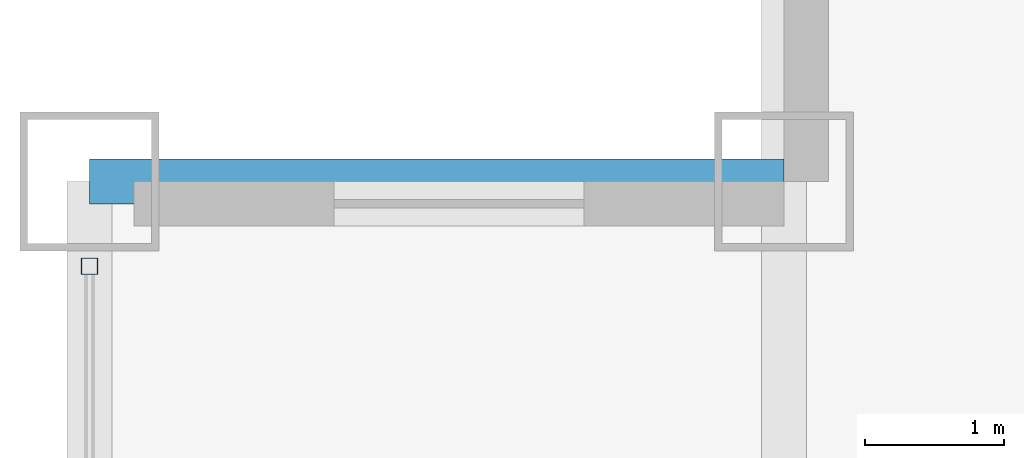
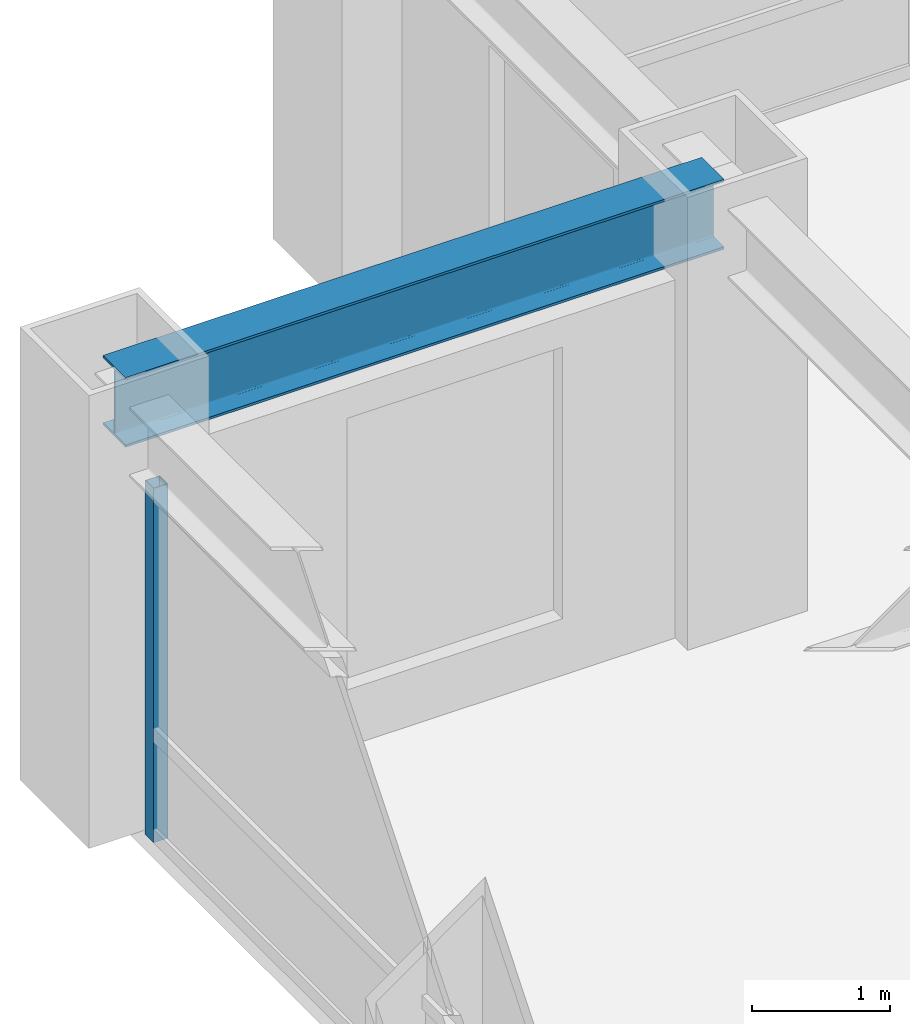
# One storey, part 12 of 25: 1 beam, 1 member, 1 element without a shape of its own.
"""IFC4 building model written with IfcOpenShell, lengths in metres."""

from ifc_helpers import new_model, si_unit, direction, frame, origin, origin_2d, place, context, subcontext, project, spatial, hollow_rectangle, i_section, extrude, source, transform, mapped, material, material_profile, profile_set, type_object, element, aggregate, save


model = new_model("IFC4")

# Units and contexts
model_context = context("Model", 3, precision=1e-05, world=origin(), true_north=direction((0.0, 1.0)))
body_context = subcontext(model_context, "Body", "Model", "MODEL_VIEW")
ifc_project = project(units=[si_unit("LENGTHUNIT", "METRE"), si_unit("AREAUNIT", "SQUARE_METRE"), si_unit("VOLUMEUNIT", "CUBIC_METRE"), si_unit("PLANEANGLEUNIT", "RADIAN"), si_unit("MASSUNIT", "GRAM", prefix="KILO")], contexts=[model_context])

# Site, building, storey
site_placement = place(None, origin())
site = spatial("IfcSite", under=ifc_project, at=site_placement, CompositionType="ELEMENT")
building_placement = place(site_placement, origin())
building = spatial("IfcBuilding", under=site, at=building_placement, Name="Khorayat Bourse Tower", CompositionType="ELEMENT")
storey_placement = place(building_placement, frame((0.0, 0.0, 251.10009765625)))
storey = spatial("IfcBuildingStorey", under=building, at=storey_placement, Name="L59", CompositionType="ELEMENT", Elevation=251.10009765625)

# Beam
ifc_material_1 = material(Name="Steel ASTM A992 Grade 50", Category="steel")
ifc_material_profile_1 = material_profile(ifc_material_1, i_section(OverallWidth=0.324951171875, OverallDepth=0.615966796875, WebThickness=0.013916015625, FlangeThickness=0.021484375, FilletRadius=0.01611328125, at=origin_2d()), Name="W610X174")
ifc_profile_set_1 = profile_set([ifc_material_profile_1], Name="Steel ASTM A992 Grade 50")
beam_type = type_object("IfcBeamType", Name="BM-SPAN-610", PredefinedType="SPANDREL", material=ifc_profile_set_1)
shared_shape_1 = source(origin(), body_context, "Body", "SweptSolid", [
    extrude(i_section(OverallWidth=0.324951171875, OverallDepth=0.615966796875, WebThickness=0.013916015625, FlangeThickness=0.021484375, FilletRadius=0.01611328125, at=origin_2d()), origin(), (0.0, 0.0, 1.0), 5.0),
])
beam_placement = place(storey_placement, frame((-30.0, 25.0, 3.471923828125), z_axis=(1.0, 0.0, 0.0), x_axis=(0.0, 1.0, 0.0)))
element("IfcBeam", 1, at=beam_placement, inside=storey, type_object=beam_type, Name="L59 BM-SPAN-610 BM-L59-SPN-053", PredefinedType="SPANDREL", context=body_context, shape_type="MappedRepresentation", body=[
    mapped(shared_shape_1, transform((0.0, 0.0, 0.0), scale=1.0)),
])

# Curtain wall, member
ifc_material_2 = material(Name="Aluminium EN AW-6063 T6", Category="aluminium")
curtain_wall_type = type_object("IfcCurtainWallType", Name="CW-SYS-03", PredefinedType="NOTDEFINED", material=ifc_material_2)
curtain_wall_placement = place(storey_placement, origin())
curtain_wall = element("IfcCurtainWall", 2, at=curtain_wall_placement, inside=storey, type_object=curtain_wall_type, Name="L59 Curtain Wall CW-L59-W1", PredefinedType="NOTDEFINED")
ifc_material_profile_2 = material_profile(ifc_material_2, hollow_rectangle(XDim=0.1201171875, YDim=0.1201171875, WallThickness=0.0048828125, at=origin_2d()), Name="ALU 120x120x5")
ifc_profile_set_2 = profile_set([ifc_material_profile_2], Name="Aluminium EN AW-6063 T6")
member_type = type_object("IfcMemberType", Name="CWM-VERT-120", PredefinedType="MULLION", material=ifc_profile_set_2)
shared_shape_2 = source(origin(), body_context, "Body", "SweptSolid", [
    extrude(hollow_rectangle(XDim=0.1201171875, YDim=0.1201171875, WallThickness=0.0048828125, at=origin_2d()), origin(), (0.0, 0.0, 1.0), 3.1298828125),
])
member_placement = place(storey_placement, frame((-30.0, 24.389892578125, 0.0), z_axis=(0.0, 0.0, 1.0), x_axis=(-1.0, 0.0, 0.0)))
member = element("IfcMember", 3, at=member_placement, type_object=member_type, Name="CW-L59-W1 Vertical Mullion 3", PredefinedType="MULLION", context=body_context, shape_type="MappedRepresentation", body=[
    mapped(shared_shape_2, transform((0.0, 0.0, 0.0), scale=1.0)),
])
aggregate(curtain_wall, [member])

save(model, "model.ifc")
